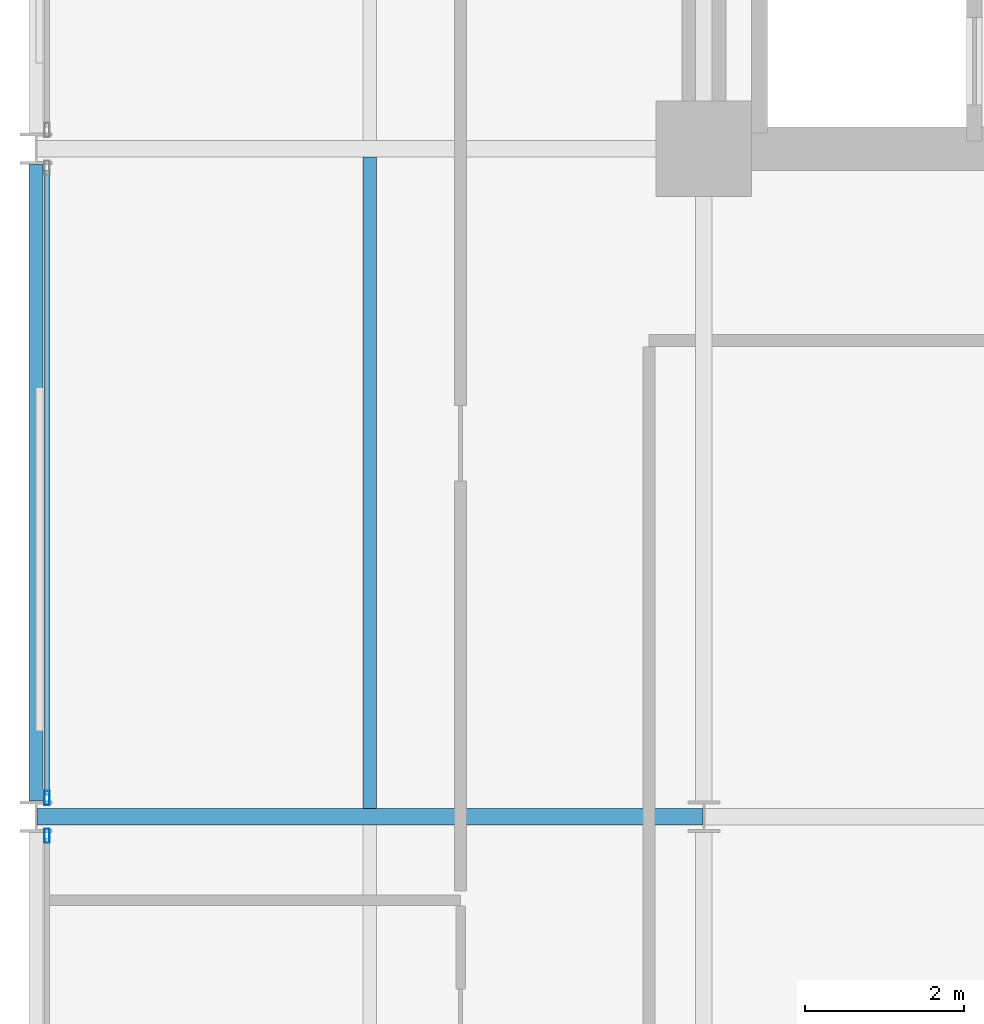
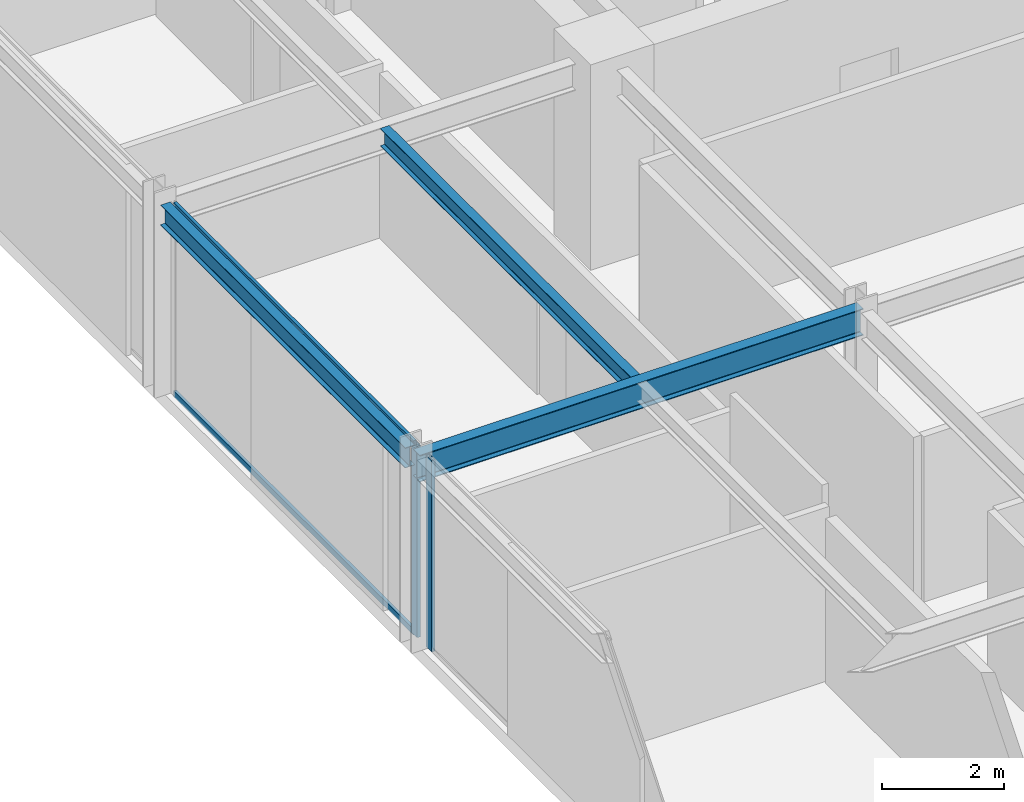
# One storey, part 8 of 29: 4 members, 3 beams, 2 elements without a shape of their own.
"""IFC4 building model written with IfcOpenShell, lengths in metres."""

from ifc_helpers import new_model, si_unit, direction, frame, origin, origin_2d, place, context, subcontext, project, spatial, hollow_rectangle, i_section, extrude, material, layer, layer_set, material_profile, profile_set, type_object, element, aggregate, save


model = new_model("IFC4")

# Units and contexts
model_context = context("Model", 3, precision=1e-05, world=origin(), true_north=direction((0.0, 1.0)))
body_context = subcontext(model_context, "Body", "Model", "MODEL_VIEW")
ifc_project = project(units=[si_unit("LENGTHUNIT", "METRE"), si_unit("AREAUNIT", "SQUARE_METRE"), si_unit("VOLUMEUNIT", "CUBIC_METRE"), si_unit("PLANEANGLEUNIT", "RADIAN"), si_unit("MASSUNIT", "GRAM", prefix="KILO")], contexts=[model_context])

# Site, building, storey
site_placement = place(None, origin())
site = spatial("IfcSite", under=ifc_project, at=site_placement, CompositionType="ELEMENT")
building_placement = place(site_placement, origin())
building = spatial("IfcBuilding", under=site, at=building_placement, Name="Nerrivon Quay Data Exchange", CompositionType="ELEMENT")
storey_placement = place(building_placement, frame((0.0, 0.0, 133.60009765625)))
storey = spatial("IfcBuildingStorey", under=building, at=storey_placement, Name="L31", CompositionType="ELEMENT", Elevation=133.60009765625)

# Beams
ifc_material_1 = material(Name="Steel Grade 350", Category="steel")
ifc_material_profile_1 = material_profile(ifc_material_1, i_section(OverallWidth=0.208984375, OverallDepth=0.532958984375, WebThickness=0.01025390625, FlangeThickness=0.015625, FilletRadius=0.013916015625, at=origin_2d()), Name="530UB92.4")
ifc_profile_set_1 = profile_set([ifc_material_profile_1], Name="Steel Grade 350")
beam_type_1 = type_object("IfcBeamType", Name="BM-G3-530UB92", PredefinedType="BEAM", material=ifc_profile_set_1)
beam_1_placement = place(storey_placement, frame((0.012451171875, 16.800048828125, 3.558349609375), z_axis=(1.0, 0.0, 0.0), x_axis=(0.0, 1.0, 0.0)))
element("IfcBeam", 1, at=beam_1_placement, inside=storey, type_object=beam_type_1, Name="L31 EW Girder Y=16.8 (0.0..8.4)", PredefinedType="BEAM", context=body_context, shape_type="SweptSolid", body=[
    extrude(i_section(OverallWidth=0.208984375, OverallDepth=0.532958984375, WebThickness=0.01025390625, FlangeThickness=0.015625, FilletRadius=0.013916015625, at=origin_2d()), origin(), (0.0, 0.0, 1.0), 8.375),
])
ifc_material_profile_2 = material_profile(ifc_material_1, i_section(OverallWidth=0.1708984375, OverallDepth=0.35595703125, WebThickness=0.00732421875, FlangeThickness=0.011474609375, FilletRadius=0.011474609375, at=origin_2d()), Name="360UB50.7")
ifc_profile_set_2 = profile_set([ifc_material_profile_2], Name="Steel Grade 350")
beam_type_2 = type_object("IfcBeamType", Name="BM-J4-360UB51", PredefinedType="JOIST", material=ifc_profile_set_2)
beam_2_placement = place(storey_placement, frame((4.199951171875, 16.904541015625, 3.64697265625), z_axis=(0.0, 1.0, 0.0), x_axis=(-1.0, 0.0, 0.0)))
element("IfcBeam", 2, at=beam_2_placement, inside=storey, type_object=beam_type_2, Name="L31 Secondary Joist X=4.2 (16.8..25.2)", PredefinedType="JOIST", context=body_context, shape_type="SweptSolid", body=[
    extrude(i_section(OverallWidth=0.1708984375, OverallDepth=0.35595703125, WebThickness=0.00732421875, FlangeThickness=0.011474609375, FilletRadius=0.011474609375, at=origin_2d()), origin(), (0.0, 0.0, 1.0), 8.19091796875),
])
ifc_material_profile_3 = material_profile(ifc_material_1, i_section(OverallWidth=0.177978515625, OverallDepth=0.403076171875, WebThickness=0.007568359375, FlangeThickness=0.010986328125, FilletRadius=0.011474609375, at=origin_2d()), Name="410UB53.7")
ifc_profile_set_3 = profile_set([ifc_material_profile_3], Name="Steel Grade 350")
beam_type_3 = type_object("IfcBeamType", Name="BM-SP2-410UB54", PredefinedType="SPANDREL", material=ifc_profile_set_3)
beam_3_placement = place(storey_placement, frame((0.0, 17.0, 3.623291015625), z_axis=(0.0, 1.0, 0.0), x_axis=(-1.0, 0.0, 0.0)))
element("IfcBeam", 3, at=beam_3_placement, inside=storey, type_object=beam_type_3, Name="L31 NS Girder X=0.0 (16.8..25.2)", PredefinedType="SPANDREL", context=body_context, shape_type="SweptSolid", body=[
    extrude(i_section(OverallWidth=0.177978515625, OverallDepth=0.403076171875, WebThickness=0.007568359375, FlangeThickness=0.010986328125, FilletRadius=0.011474609375, at=origin_2d()), origin(), (0.0, 0.0, 1.0), 8.0),
])

# Curtain wall, member
ifc_material_2 = material(Name="Anodised aluminium 6063-T6", Category="aluminium")
ifc_layer = layer(ifc_material_2, 0.2099609375)
ifc_layer_set = layer_set([ifc_layer], Name="Anodised aluminium 6063-T6")
curtain_wall_type = type_object("IfcCurtainWallType", Name="CW-SYS-02", PredefinedType="NOTDEFINED", material=ifc_layer_set)
curtain_wall_1_placement = place(storey_placement, origin())
curtain_wall_1 = element("IfcCurtainWall", 4, at=curtain_wall_1_placement, inside=storey, type_object=curtain_wall_type, Name="L31 Unitised Curtain Wall 12", PredefinedType="NOTDEFINED")
ifc_material_profile_4 = material_profile(ifc_material_2, hollow_rectangle(XDim=0.06494140625, YDim=0.179931640625, WallThickness=0.00341796875, at=origin_2d()), Name="ALU-MULL-180x65")
ifc_profile_set_4 = profile_set([ifc_material_profile_4], Name="Anodised aluminium 6063-T6")
member_type_1 = type_object("IfcMemberType", Name="CWM-180x65", PredefinedType="MULLION", material=ifc_profile_set_4)
member_1_placement = place(storey_placement, frame((0.139892578125, 16.5625, 0.0), z_axis=(0.0, 0.0, 1.0), x_axis=(-1.0, 0.0, 0.0)))
member_1 = element("IfcMember", 5, at=member_1_placement, type_object=member_type_1, Name="CW02 mullion 2", PredefinedType="MULLION", context=body_context, shape_type="SweptSolid", body=[
    extrude(hollow_rectangle(XDim=0.06494140625, YDim=0.179931640625, WallThickness=0.00341796875, at=origin_2d()), origin(), (0.0, 0.0, 1.0), 3.824951171875),
])
aggregate(curtain_wall_1, [member_1])

# Curtain wall, members
curtain_wall_2_placement = place(storey_placement, origin())
curtain_wall_2 = element("IfcCurtainWall", 6, at=curtain_wall_2_placement, inside=storey, type_object=curtain_wall_type, Name="L31 Unitised Curtain Wall 13", PredefinedType="NOTDEFINED")
member_2_placement = place(storey_placement, frame((0.139892578125, 17.03759765625, 0.0), z_axis=(0.0, 0.0, 1.0), x_axis=(-1.0, 0.0, 0.0)))
member_2 = element("IfcMember", 7, at=member_2_placement, type_object=member_type_1, Name="CW02 mullion 1", PredefinedType="MULLION", context=body_context, shape_type="SweptSolid", body=[
    extrude(hollow_rectangle(XDim=0.06494140625, YDim=0.179931640625, WallThickness=0.00341796875, at=origin_2d()), origin(), (0.0, 0.0, 1.0), 3.824951171875),
])
ifc_material_profile_5 = material_profile(ifc_material_2, hollow_rectangle(XDim=0.06005859375, YDim=0.1201171875, WallThickness=0.003173828125, at=origin_2d()), Name="ALU-TRAN-120x60")
ifc_profile_set_5 = profile_set([ifc_material_profile_5], Name="Anodised aluminium 6063-T6")
member_type_2 = type_object("IfcMemberType", Name="CWT-120x60", PredefinedType="USERDEFINED", material=ifc_profile_set_5)
member_3_placement = place(storey_placement, frame((0.139892578125, 17.074951171875, 0.032470703125), z_axis=(0.0, 1.0, 0.0), x_axis=(-1.0, 0.0, 0.0)))
member_3 = element("IfcMember", 8, at=member_3_placement, type_object=member_type_2, Name="CW02 transom 1.1", ObjectType="TRANSOM", PredefinedType="USERDEFINED", context=body_context, shape_type="SweptSolid", body=[
    extrude(hollow_rectangle(XDim=0.06005859375, YDim=0.1201171875, WallThickness=0.003173828125, at=origin_2d()), origin(), (0.0, 0.0, 1.0), 7.85009765625),
])
member_4_placement = place(storey_placement, frame((0.139892578125, 17.074951171875, 3.79248046875), z_axis=(0.0, 1.0, 0.0), x_axis=(-1.0, 0.0, 0.0)))
member_4 = element("IfcMember", 9, at=member_4_placement, type_object=member_type_2, Name="CW02 transom 1.2", ObjectType="TRANSOM", PredefinedType="USERDEFINED", context=body_context, shape_type="SweptSolid", body=[
    extrude(hollow_rectangle(XDim=0.06005859375, YDim=0.1201171875, WallThickness=0.003173828125, at=origin_2d()), origin(), (0.0, 0.0, 1.0), 7.85009765625),
])
aggregate(curtain_wall_2, [member_2, member_3, member_4])

save(model, "model.ifc")
